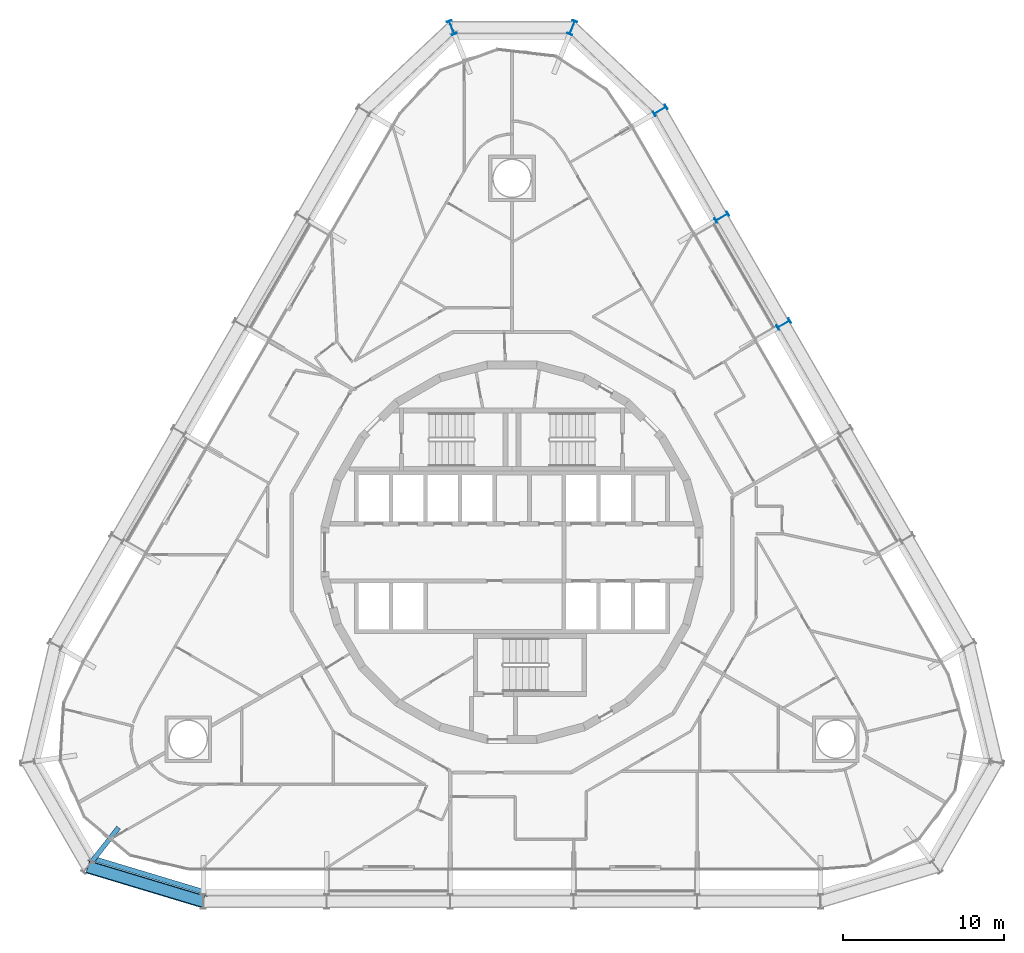
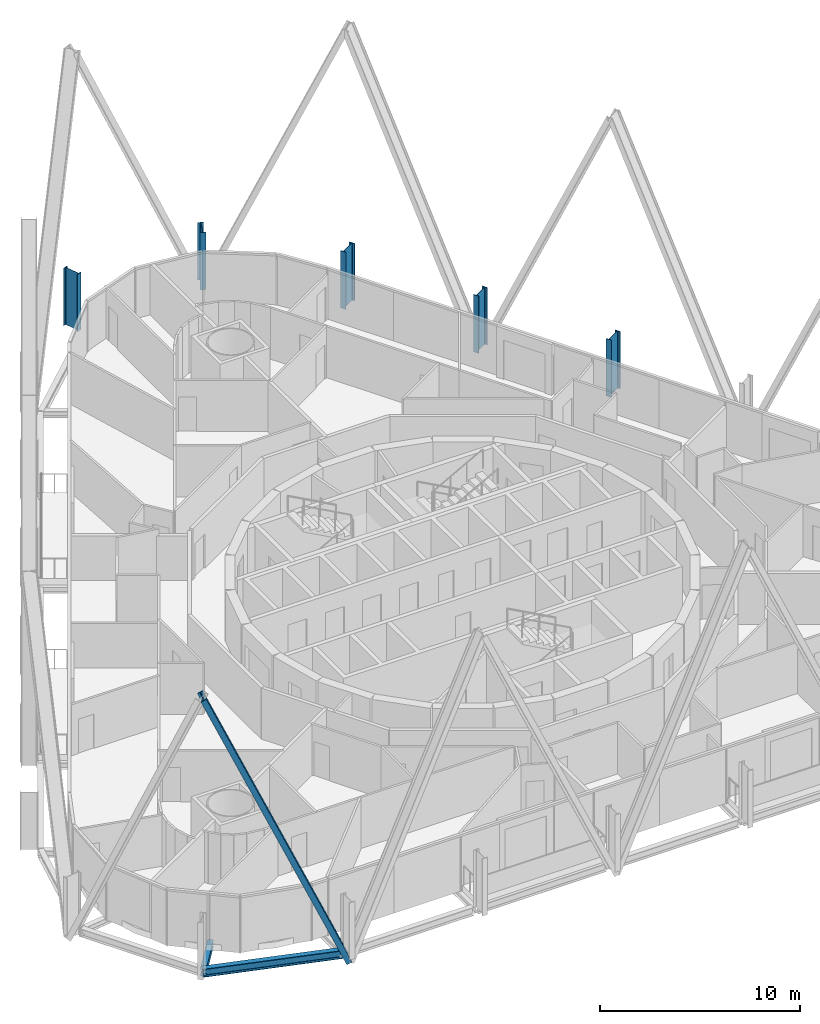
# One storey, part 2 of 22: 5 columns, 2 beams, 1 member.
"""IFC4 building model written with IfcOpenShell, lengths in metres."""

from ifc_helpers import new_model, si_unit, direction, frame, origin, origin_2d, place, context, subcontext, project, spatial, i_section, extrude, material, material_profile, profile_set, type_object, element, save


model = new_model("IFC4")

# Units and contexts
model_context = context("Model", 3, precision=1e-05, world=origin(), true_north=direction((0.0, 1.0)))
body_context = subcontext(model_context, "Body", "Model", "MODEL_VIEW")
ifc_project = project(units=[si_unit("LENGTHUNIT", "METRE"), si_unit("AREAUNIT", "SQUARE_METRE"), si_unit("VOLUMEUNIT", "CUBIC_METRE"), si_unit("PLANEANGLEUNIT", "RADIAN"), si_unit("MASSUNIT", "GRAM", prefix="KILO")], contexts=[model_context])

# Site, building, storey
site_placement = place(None, origin())
site = spatial("IfcSite", under=ifc_project, at=site_placement, CompositionType="ELEMENT")
building_placement = place(site_placement, origin())
building = spatial("IfcBuilding", under=site, at=building_placement, Name="Spindle Arch Residences", CompositionType="ELEMENT")
storey_placement = place(building_placement, frame((0.0, 0.0, 52.39990234375)))
storey = spatial("IfcBuildingStorey", under=building, at=storey_placement, Name="L11", CompositionType="ELEMENT", Elevation=52.39990234375)

# Columns
ifc_material_1 = material(Name="Steel S460ML, intumescent coating R 240", Category="steel")
ifc_material_profile_1 = material_profile(ifc_material_1, i_section(OverallWidth=0.300048828125, OverallDepth=0.89990234375, WebThickness=0.0185546875, FlangeThickness=0.034912109375, FilletRadius=0.030029296875, at=origin_2d()), Name="HEB 900")
ifc_profile_set_1 = profile_set([ifc_material_profile_1], Name="Steel S460ML, intumescent coating R 240")
column_type = type_object("IfcColumnType", Name="Exoskeleton post HEB 900", PredefinedType="COLUMN", material=ifc_profile_set_1)
for number, where, z_axis, x_axis, name in (
    (1, (16.898681640625, 14.1904296875, -0.3798828125), (0.0, 0.0, 1.0), (0.50000017485, -0.866025302835, 0.0), "Exoskeleton post 9"),
    (2, (13.05859375, 20.841796875, -0.3798828125), (0.0, 0.0, 1.0), (0.50000017485, -0.866025302835, 0.0), "Exoskeleton post 10"),
    (3, (9.218505859375, 27.492919921875, -0.3798828125), (0.0, 0.0, 1.0), (0.50000017485, -0.866025302835, 0.0), "Exoskeleton post 11"),
    (4, (3.748291015625, 32.638671875, -0.3798828125), (0.0, 0.0, 1.0), (0.928589751246, -0.371107900591, 0.0), "Exoskeleton post 12"),
    (5, (-3.748291015625, 32.638671875, -0.3798828125), (0.0, 0.0, 1.0), (0.928589751246, 0.371107900591, 0.0), "Exoskeleton post 13"),
):
    element("IfcColumn", number, at=place(storey_placement, frame(where, z_axis=z_axis, x_axis=x_axis)), inside=storey, type_object=column_type, Name=name, PredefinedType="COLUMN", context=body_context, shape_type="SweptSolid", body=[
        extrude(i_section(OverallWidth=0.300048828125, OverallDepth=0.89990234375, WebThickness=0.0185546875, FlangeThickness=0.034912109375, FilletRadius=0.030029296875, at=origin_2d()), origin(), (0.0, 0.0, 1.0), 3.5),
    ])

# Member
ifc_material_2 = material(Name="Steel S460ML, intumescent coating R 240", Category="steel")
ifc_material_profile_2 = material_profile(ifc_material_2, i_section(OverallWidth=0.302978515625, OverallDepth=0.81396484375, WebThickness=0.02099609375, FlangeThickness=0.0400390625, FilletRadius=0.030029296875, at=origin_2d()), Name="HEM 800")
ifc_profile_set_2 = profile_set([ifc_material_profile_2], Name="Steel S460ML, intumescent coating R 240")
member_type = type_object("IfcMemberType", Name="Diagrid diagonal HEM 800", PredefinedType="BRACE", material=ifc_profile_set_2)
member_placement = place(storey_placement, frame((-19.2001953125, -21.72998046875, -0.6298828125), z_axis=(-0.38181067774, 0.114934657778, 0.917066317561), x_axis=(0.878142040808, -0.264342934406, 0.398734710296)))
element("IfcMember", 6, at=member_placement, inside=storey, type_object=member_type, Name="Diagrid diagonal 1.2.21", PredefinedType="BRACE", context=body_context, shape_type="SweptSolid", body=[
    extrude(i_section(OverallWidth=0.302978515625, OverallDepth=0.81396484375, WebThickness=0.02099609375, FlangeThickness=0.0400390625, FilletRadius=0.030029296875, at=origin_2d()), origin(), (0.0, 0.0, 1.0), 18.8349609375),
])

# Beams
ifc_material_3 = material(Name="Steel S460ML, intumescent coating R 120", Category="steel")
ifc_material_profile_3 = material_profile(ifc_material_3, i_section(OverallWidth=0.300048828125, OverallDepth=0.5, WebThickness=0.014404296875, FlangeThickness=0.028076171875, FilletRadius=0.027099609375, at=origin_2d()), Name="HEB 500")
ifc_profile_set_3 = profile_set([ifc_material_profile_3], Name="Steel S460ML, intumescent coating R 120")
beam_type_1 = type_object("IfcBeamType", Name="Exoskeleton edge beam HEB 500", PredefinedType="BEAM", material=ifc_profile_set_3)
beam_1_placement = place(storey_placement, frame((-26.0751953125, -19.048095703125, -0.6298828125), z_axis=(0.95756732363, -0.288209681856, 0.0), x_axis=(0.288209681856, 0.95756732363, 0.0)))
element("IfcBeam", 7, at=beam_1_placement, inside=storey, type_object=beam_type_1, Name="Exoskeleton edge beam 21", PredefinedType="BEAM", context=body_context, shape_type="SweptSolid", body=[
    extrude(i_section(OverallWidth=0.300048828125, OverallDepth=0.5, WebThickness=0.014404296875, FlangeThickness=0.028076171875, FilletRadius=0.027099609375, at=origin_2d()), origin(), (0.0, 0.0, 1.0), 7.250244140625),
])
ifc_material_4 = material(Name="Steel S460ML, intumescent coating R 120", Category="steel")
ifc_material_profile_4 = material_profile(ifc_material_4, i_section(OverallWidth=0.300048828125, OverallDepth=0.389892578125, WebThickness=0.010986328125, FlangeThickness=0.01904296875, FilletRadius=0.027099609375, at=origin_2d()), Name="HEA 400")
ifc_profile_set_4 = profile_set([ifc_material_profile_4], Name="Steel S460ML, intumescent coating R 120")
beam_type_2 = type_object("IfcBeamType", Name="Floor outrigger HEA 400", PredefinedType="BEAM", material=ifc_profile_set_4)
beam_2_placement = place(storey_placement, frame((-26.11328125, -19.211669921875, -0.574951171875), z_axis=(0.618586231558, 0.785716917297, 0.0), x_axis=(-0.785716917297, 0.618586231558, 0.0)))
element("IfcBeam", 8, at=beam_2_placement, inside=storey, type_object=beam_type_2, Name="Floor outrigger 21", PredefinedType="BEAM", context=body_context, shape_type="SweptSolid", body=[
    extrude(i_section(OverallWidth=0.300048828125, OverallDepth=0.389892578125, WebThickness=0.010986328125, FlangeThickness=0.01904296875, FilletRadius=0.027099609375, at=origin_2d()), origin(), (0.0, 0.0, 1.0), 2.64990234375),
])

save(model, "model.ifc")
